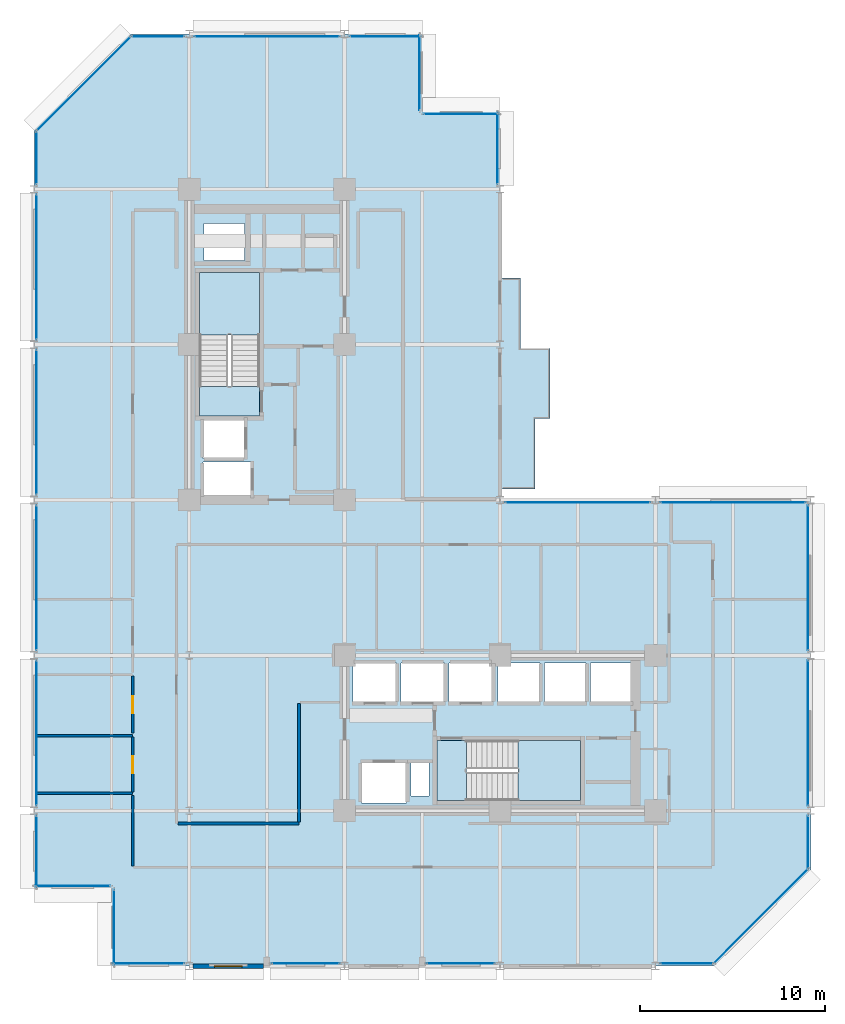
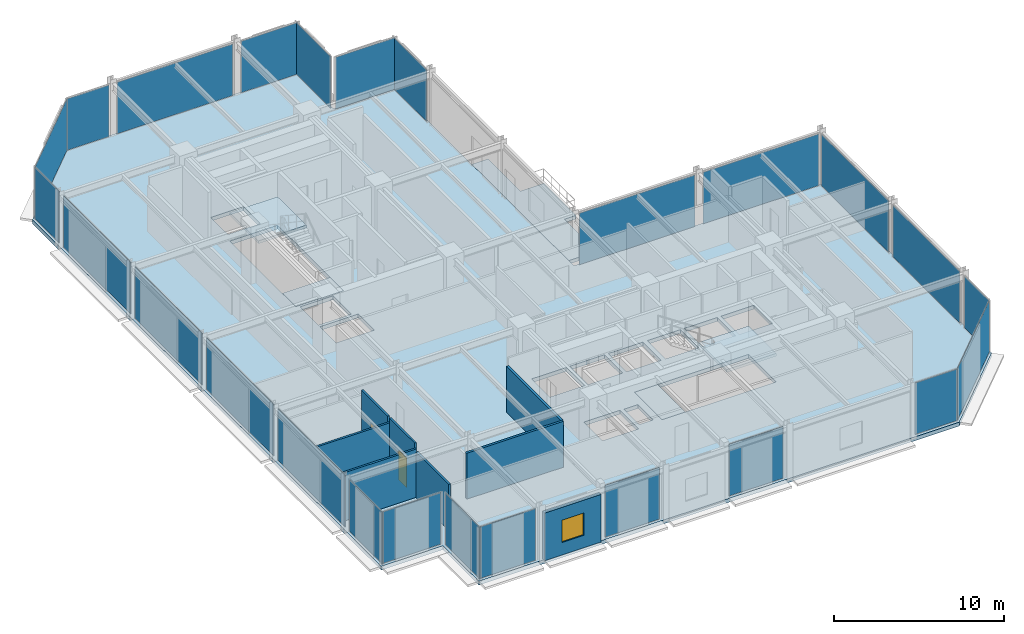
# One storey, part 23 of 30: 25 plates, 8 walls, 6 slabs, 2 doors, 1 window, 3 openings, 27 elements without a shape of their own.
"""IFC4 building model written with IfcOpenShell, lengths in metres."""

from ifc_helpers import new_model, si_unit, direction, frame, frame_2d, origin, origin_2d, place, context, subcontext, project, spatial, polyline, rectangle, outline, extrude, material, layer, layer_set, type_object, element, fill, aggregate, save


model = new_model("IFC4")

# Units and contexts
model_context = context("Model", 3, precision=1e-05, world=origin(), true_north=direction((0.0, 1.0)))
body_context = subcontext(model_context, "Body", "Model", "MODEL_VIEW")
ifc_project = project(units=[si_unit("LENGTHUNIT", "METRE"), si_unit("AREAUNIT", "SQUARE_METRE"), si_unit("VOLUMEUNIT", "CUBIC_METRE"), si_unit("PLANEANGLEUNIT", "RADIAN"), si_unit("MASSUNIT", "GRAM", prefix="KILO")], contexts=[model_context])

# Site, building, storey
site_placement = place(None, origin())
site = spatial("IfcSite", under=ifc_project, at=site_placement, CompositionType="ELEMENT")
building_placement = place(site_placement, origin())
building = spatial("IfcBuilding", under=site, at=building_placement, Name="Nerrivon Quay Data Exchange", CompositionType="ELEMENT")
storey_placement = place(building_placement, frame((0.0, 0.0, 141.800048828125)))
storey = spatial("IfcBuildingStorey", under=building, at=storey_placement, Name="L33", CompositionType="ELEMENT", Elevation=141.800048828125)

# Curtain wall, plate
ifc_material_1 = material(Name="Anodised aluminium 6063-T6", Category="aluminium")
ifc_layer_1 = layer(ifc_material_1, 0.2099609375)
ifc_layer_set_1 = layer_set([ifc_layer_1], Name="Anodised aluminium 6063-T6")
curtain_wall_type = type_object("IfcCurtainWallType", Name="CW-SYS-02", PredefinedType="NOTDEFINED", material=ifc_layer_set_1)
curtain_wall_1_placement = place(storey_placement, origin())
curtain_wall_1 = element("IfcCurtainWall", 1, at=curtain_wall_1_placement, inside=storey, type_object=curtain_wall_type, Name="L33 Unitised Curtain Wall 1", PredefinedType="NOTDEFINED")
ifc_material_2 = material(Name="Double-glazed low-E solar control glass", Category="glass")
ifc_layer_2 = layer(ifc_material_2, 0.028076171875)
ifc_layer_set_2 = layer_set([ifc_layer_2], Name="Double-glazed low-E solar control glass")
plate_type = type_object("IfcPlateType", Name="CWP-GLZ-28", PredefinedType="CURTAIN_PANEL", material=ifc_layer_set_2)
plate_1_placement = place(storey_placement, frame((39.301025390625, 2.698974609375, 0.06494140625), z_axis=(0.0, 0.0, 1.0), x_axis=(-0.707106781187, -0.707106781187, 0.0)))
plate_1 = element("IfcPlate", 2, at=plate_1_placement, type_object=plate_type, Name="CW02 panel 1.1", PredefinedType="CURTAIN_PANEL", context=body_context, shape_type="SweptSolid", body=[
    extrude(rectangle(XDim=7.203857421875, YDim=0.028076171875, at=origin_2d()), origin(), (0.0, 0.0, 1.0), 3.695068359375),
])
aggregate(curtain_wall_1, [plate_1])

curtain_wall_2_placement = place(storey_placement, origin())
curtain_wall_2 = element("IfcCurtainWall", 3, at=curtain_wall_2_placement, inside=storey, type_object=curtain_wall_type, Name="L33 Unitised Curtain Wall 2", PredefinedType="NOTDEFINED")
plate_2_placement = place(storey_placement, frame((35.300048828125, 0.139892578125, 0.06494140625), z_axis=(0.0, 0.0, 1.0), x_axis=(-1.0, 0.0, 0.0)))
plate_2 = element("IfcPlate", 4, at=plate_2_placement, type_object=plate_type, Name="CW02 panel 1.1", PredefinedType="CURTAIN_PANEL", context=body_context, shape_type="SweptSolid", body=[
    extrude(rectangle(XDim=2.85009765625, YDim=0.028076171875, at=origin_2d()), origin(), (0.0, 0.0, 1.0), 3.695068359375),
])
aggregate(curtain_wall_2, [plate_2])

curtain_wall_3_placement = place(storey_placement, origin())
curtain_wall_3 = element("IfcCurtainWall", 5, at=curtain_wall_3_placement, inside=storey, type_object=curtain_wall_type, Name="L33 Unitised Curtain Wall 4", PredefinedType="NOTDEFINED")
plate_3_placement = place(storey_placement, frame((23.08740234375, 0.139892578125, 0.06494140625), z_axis=(0.0, 0.0, 1.0), x_axis=(-1.0, 0.0, 0.0)))
plate_3 = element("IfcPlate", 6, at=plate_3_placement, type_object=plate_type, Name="CW02 panel 1.1", PredefinedType="CURTAIN_PANEL", context=body_context, shape_type="SweptSolid", body=[
    extrude(rectangle(XDim=3.675048828125, YDim=0.028076171875, at=origin_2d()), origin(), (0.0, 0.0, 1.0), 3.695068359375),
])
aggregate(curtain_wall_3, [plate_3])

curtain_wall_4_placement = place(storey_placement, origin())
curtain_wall_4 = element("IfcCurtainWall", 7, at=curtain_wall_4_placement, inside=storey, type_object=curtain_wall_type, Name="L33 Unitised Curtain Wall 6", PredefinedType="NOTDEFINED")
plate_4_placement = place(storey_placement, frame((14.6875, 0.139892578125, 0.06494140625), z_axis=(0.0, 0.0, 1.0), x_axis=(-1.0, 0.0, 0.0)))
plate_4 = element("IfcPlate", 8, at=plate_4_placement, type_object=plate_type, Name="CW02 panel 1.1", PredefinedType="CURTAIN_PANEL", context=body_context, shape_type="SweptSolid", body=[
    extrude(rectangle(XDim=3.675048828125, YDim=0.028076171875, at=origin_2d()), origin(), (0.0, 0.0, 1.0), 3.695068359375),
])
aggregate(curtain_wall_4, [plate_4])

curtain_wall_5_placement = place(storey_placement, origin())
curtain_wall_5 = element("IfcCurtainWall", 9, at=curtain_wall_5_placement, inside=storey, type_object=curtain_wall_type, Name="L33 Unitised Curtain Wall 8", PredefinedType="NOTDEFINED")
plate_5_placement = place(storey_placement, frame((6.199951171875, 0.139892578125, 0.06494140625), z_axis=(0.0, 0.0, 1.0), x_axis=(-1.0, 0.0, 0.0)))
plate_5 = element("IfcPlate", 10, at=plate_5_placement, type_object=plate_type, Name="CW02 panel 1.1", PredefinedType="CURTAIN_PANEL", context=body_context, shape_type="SweptSolid", body=[
    extrude(rectangle(XDim=3.85009765625, YDim=0.028076171875, at=origin_2d()), origin(), (0.0, 0.0, 1.0), 3.695068359375),
])
aggregate(curtain_wall_5, [plate_5])

curtain_wall_6_placement = place(storey_placement, origin())
curtain_wall_6 = element("IfcCurtainWall", 11, at=curtain_wall_6_placement, inside=storey, type_object=curtain_wall_type, Name="L33 Unitised Curtain Wall 9", PredefinedType="NOTDEFINED")
plate_6_placement = place(storey_placement, frame((4.340087890625, 2.10009765625, 0.06494140625), z_axis=(0.0, 0.0, 1.0), x_axis=(0.0, 1.0, 0.0)))
plate_6 = element("IfcPlate", 12, at=plate_6_placement, type_object=plate_type, Name="CW02 panel 1.1", PredefinedType="CURTAIN_PANEL", context=body_context, shape_type="SweptSolid", body=[
    extrude(rectangle(XDim=4.050048828125, YDim=0.028076171875, at=origin_2d()), origin(), (0.0, 0.0, 1.0), 3.695068359375),
])
aggregate(curtain_wall_6, [plate_6])

curtain_wall_7_placement = place(storey_placement, origin())
curtain_wall_7 = element("IfcCurtainWall", 13, at=curtain_wall_7_placement, inside=storey, type_object=curtain_wall_type, Name="L33 Unitised Curtain Wall 10", PredefinedType="NOTDEFINED")
plate_7_placement = place(storey_placement, frame((2.10009765625, 4.340087890625, 0.06494140625), z_axis=(0.0, 0.0, 1.0), x_axis=(-1.0, 0.0, 0.0)))
plate_7 = element("IfcPlate", 14, at=plate_7_placement, type_object=plate_type, Name="CW02 panel 1.1", PredefinedType="CURTAIN_PANEL", context=body_context, shape_type="SweptSolid", body=[
    extrude(rectangle(XDim=4.050048828125, YDim=0.028076171875, at=origin_2d()), origin(), (0.0, 0.0, 1.0), 3.695068359375),
])
aggregate(curtain_wall_7, [plate_7])

curtain_wall_8_placement = place(storey_placement, origin())
curtain_wall_8 = element("IfcCurtainWall", 15, at=curtain_wall_8_placement, inside=storey, type_object=curtain_wall_type, Name="L33 Unitised Curtain Wall 11", PredefinedType="NOTDEFINED")
plate_8_placement = place(storey_placement, frame((0.139892578125, 6.199951171875, 0.06494140625), z_axis=(0.0, 0.0, 1.0), x_axis=(0.0, 1.0, 0.0)))
plate_8 = element("IfcPlate", 16, at=plate_8_placement, type_object=plate_type, Name="CW02 panel 1.1", PredefinedType="CURTAIN_PANEL", context=body_context, shape_type="SweptSolid", body=[
    extrude(rectangle(XDim=3.85009765625, YDim=0.028076171875, at=origin_2d()), origin(), (0.0, 0.0, 1.0), 3.695068359375),
])
aggregate(curtain_wall_8, [plate_8])

curtain_wall_9_placement = place(storey_placement, origin())
curtain_wall_9 = element("IfcCurtainWall", 17, at=curtain_wall_9_placement, inside=storey, type_object=curtain_wall_type, Name="L33 Unitised Curtain Wall 12", PredefinedType="NOTDEFINED")
plate_9_placement = place(storey_placement, frame((0.139892578125, 12.60009765625, 0.06494140625), z_axis=(0.0, 0.0, 1.0), x_axis=(0.0, 1.0, 0.0)))
plate_9 = element("IfcPlate", 18, at=plate_9_placement, type_object=plate_type, Name="CW02 panel 1.1", PredefinedType="CURTAIN_PANEL", context=body_context, shape_type="SweptSolid", body=[
    extrude(rectangle(XDim=7.85009765625, YDim=0.028076171875, at=origin_2d()), origin(), (0.0, 0.0, 1.0), 3.695068359375),
])
aggregate(curtain_wall_9, [plate_9])

curtain_wall_10_placement = place(storey_placement, origin())
curtain_wall_10 = element("IfcCurtainWall", 19, at=curtain_wall_10_placement, inside=storey, type_object=curtain_wall_type, Name="L33 Unitised Curtain Wall 13", PredefinedType="NOTDEFINED")
plate_10_placement = place(storey_placement, frame((0.139892578125, 21.0, 0.06494140625), z_axis=(0.0, 0.0, 1.0), x_axis=(0.0, 1.0, 0.0)))
plate_10 = element("IfcPlate", 20, at=plate_10_placement, type_object=plate_type, Name="CW02 panel 1.1", PredefinedType="CURTAIN_PANEL", context=body_context, shape_type="SweptSolid", body=[
    extrude(rectangle(XDim=7.85009765625, YDim=0.028076171875, at=origin_2d()), origin(), (0.0, 0.0, 1.0), 3.695068359375),
])
aggregate(curtain_wall_10, [plate_10])

curtain_wall_11_placement = place(storey_placement, origin())
curtain_wall_11 = element("IfcCurtainWall", 21, at=curtain_wall_11_placement, inside=storey, type_object=curtain_wall_type, Name="L33 Unitised Curtain Wall 14", PredefinedType="NOTDEFINED")
plate_11_placement = place(storey_placement, frame((0.139892578125, 29.39990234375, 0.06494140625), z_axis=(0.0, 0.0, 1.0), x_axis=(0.0, 1.0, 0.0)))
plate_11 = element("IfcPlate", 22, at=plate_11_placement, type_object=plate_type, Name="CW02 panel 1.1", PredefinedType="CURTAIN_PANEL", context=body_context, shape_type="SweptSolid", body=[
    extrude(rectangle(XDim=7.85009765625, YDim=0.028076171875, at=origin_2d()), origin(), (0.0, 0.0, 1.0), 3.695068359375),
])
aggregate(curtain_wall_11, [plate_11])

curtain_wall_12_placement = place(storey_placement, origin())
curtain_wall_12 = element("IfcCurtainWall", 23, at=curtain_wall_12_placement, inside=storey, type_object=curtain_wall_type, Name="L33 Unitised Curtain Wall 15", PredefinedType="NOTDEFINED")
plate_12_placement = place(storey_placement, frame((0.139892578125, 37.800048828125, 0.06494140625), z_axis=(0.0, 0.0, 1.0), x_axis=(0.0, 1.0, 0.0)))
plate_12 = element("IfcPlate", 24, at=plate_12_placement, type_object=plate_type, Name="CW02 panel 1.1", PredefinedType="CURTAIN_PANEL", context=body_context, shape_type="SweptSolid", body=[
    extrude(rectangle(XDim=7.85009765625, YDim=0.028076171875, at=origin_2d()), origin(), (0.0, 0.0, 1.0), 3.695068359375),
])
aggregate(curtain_wall_12, [plate_12])

curtain_wall_13_placement = place(storey_placement, origin())
curtain_wall_13 = element("IfcCurtainWall", 25, at=curtain_wall_13_placement, inside=storey, type_object=curtain_wall_type, Name="L33 Unitised Curtain Wall 16", PredefinedType="NOTDEFINED")
plate_13_placement = place(storey_placement, frame((0.139892578125, 43.699951171875, 0.06494140625), z_axis=(0.0, 0.0, 1.0), x_axis=(0.0, 1.0, 0.0)))
plate_13 = element("IfcPlate", 26, at=plate_13_placement, type_object=plate_type, Name="CW02 panel 1.1", PredefinedType="CURTAIN_PANEL", context=body_context, shape_type="SweptSolid", body=[
    extrude(rectangle(XDim=2.85009765625, YDim=0.028076171875, at=origin_2d()), origin(), (0.0, 0.0, 1.0), 3.695068359375),
])
aggregate(curtain_wall_13, [plate_13])

curtain_wall_14_placement = place(storey_placement, origin())
curtain_wall_14 = element("IfcCurtainWall", 27, at=curtain_wall_14_placement, inside=storey, type_object=curtain_wall_type, Name="L33 Unitised Curtain Wall 17", PredefinedType="NOTDEFINED")
plate_14_placement = place(storey_placement, frame((2.698974609375, 47.700927734375, 0.06494140625), z_axis=(0.0, 0.0, 1.0), x_axis=(0.707106781187, 0.707106781187, 0.0)))
plate_14 = element("IfcPlate", 28, at=plate_14_placement, type_object=plate_type, Name="CW02 panel 1.1", PredefinedType="CURTAIN_PANEL", context=body_context, shape_type="SweptSolid", body=[
    extrude(rectangle(XDim=7.203857421875, YDim=0.028076171875, at=origin_2d()), origin(), (0.0, 0.0, 1.0), 3.695068359375),
])
aggregate(curtain_wall_14, [plate_14])

curtain_wall_15_placement = place(storey_placement, origin())
curtain_wall_15 = element("IfcCurtainWall", 29, at=curtain_wall_15_placement, inside=storey, type_object=curtain_wall_type, Name="L33 Unitised Curtain Wall 18", PredefinedType="NOTDEFINED")
plate_15_placement = place(storey_placement, frame((6.699951171875, 50.260009765625, 0.06494140625), z_axis=(0.0, 0.0, 1.0), x_axis=(1.0, 0.0, 0.0)))
plate_15 = element("IfcPlate", 30, at=plate_15_placement, type_object=plate_type, Name="CW02 panel 1.1", PredefinedType="CURTAIN_PANEL", context=body_context, shape_type="SweptSolid", body=[
    extrude(rectangle(XDim=2.85009765625, YDim=0.028076171875, at=origin_2d()), origin(), (0.0, 0.0, 1.0), 3.695068359375),
])
aggregate(curtain_wall_15, [plate_15])

curtain_wall_16_placement = place(storey_placement, origin())
curtain_wall_16 = element("IfcCurtainWall", 31, at=curtain_wall_16_placement, inside=storey, type_object=curtain_wall_type, Name="L33 Unitised Curtain Wall 19", PredefinedType="NOTDEFINED")
plate_16_placement = place(storey_placement, frame((12.60009765625, 50.260009765625, 0.06494140625), z_axis=(0.0, 0.0, 1.0), x_axis=(1.0, 0.0, 0.0)))
plate_16 = element("IfcPlate", 32, at=plate_16_placement, type_object=plate_type, Name="CW02 panel 1.1", PredefinedType="CURTAIN_PANEL", context=body_context, shape_type="SweptSolid", body=[
    extrude(rectangle(XDim=7.85009765625, YDim=0.028076171875, at=origin_2d()), origin(), (0.0, 0.0, 1.0), 3.695068359375),
])
aggregate(curtain_wall_16, [plate_16])

curtain_wall_17_placement = place(storey_placement, origin())
curtain_wall_17 = element("IfcCurtainWall", 33, at=curtain_wall_17_placement, inside=storey, type_object=curtain_wall_type, Name="L33 Unitised Curtain Wall 20", PredefinedType="NOTDEFINED")
plate_17_placement = place(storey_placement, frame((19.0, 50.260009765625, 0.06494140625), z_axis=(0.0, 0.0, 1.0), x_axis=(1.0, 0.0, 0.0)))
plate_17 = element("IfcPlate", 34, at=plate_17_placement, type_object=plate_type, Name="CW02 panel 1.1", PredefinedType="CURTAIN_PANEL", context=body_context, shape_type="SweptSolid", body=[
    extrude(rectangle(XDim=3.85009765625, YDim=0.028076171875, at=origin_2d()), origin(), (0.0, 0.0, 1.0), 3.695068359375),
])
aggregate(curtain_wall_17, [plate_17])

curtain_wall_18_placement = place(storey_placement, origin())
curtain_wall_18 = element("IfcCurtainWall", 35, at=curtain_wall_18_placement, inside=storey, type_object=curtain_wall_type, Name="L33 Unitised Curtain Wall 21", PredefinedType="NOTDEFINED")
plate_18_placement = place(storey_placement, frame((20.860107421875, 48.300048828125, 0.06494140625), z_axis=(0.0, 0.0, 1.0), x_axis=(0.0, -1.0, 0.0)))
plate_18 = element("IfcPlate", 36, at=plate_18_placement, type_object=plate_type, Name="CW02 panel 1.1", PredefinedType="CURTAIN_PANEL", context=body_context, shape_type="SweptSolid", body=[
    extrude(rectangle(XDim=4.050048828125, YDim=0.028076171875, at=origin_2d()), origin(), (0.0, 0.0, 1.0), 3.695068359375),
])
aggregate(curtain_wall_18, [plate_18])

curtain_wall_19_placement = place(storey_placement, origin())
curtain_wall_19 = element("IfcCurtainWall", 37, at=curtain_wall_19_placement, inside=storey, type_object=curtain_wall_type, Name="L33 Unitised Curtain Wall 22", PredefinedType="NOTDEFINED")
plate_19_placement = place(storey_placement, frame((23.10009765625, 46.06005859375, 0.06494140625), z_axis=(0.0, 0.0, 1.0), x_axis=(1.0, 0.0, 0.0)))
plate_19 = element("IfcPlate", 38, at=plate_19_placement, type_object=plate_type, Name="CW02 panel 1.1", PredefinedType="CURTAIN_PANEL", context=body_context, shape_type="SweptSolid", body=[
    extrude(rectangle(XDim=4.050048828125, YDim=0.028076171875, at=origin_2d()), origin(), (0.0, 0.0, 1.0), 3.695068359375),
])
aggregate(curtain_wall_19, [plate_19])

curtain_wall_20_placement = place(storey_placement, origin())
curtain_wall_20 = element("IfcCurtainWall", 39, at=curtain_wall_20_placement, inside=storey, type_object=curtain_wall_type, Name="L33 Unitised Curtain Wall 23", PredefinedType="NOTDEFINED")
plate_20_placement = place(storey_placement, frame((25.06005859375, 44.199951171875, 0.06494140625), z_axis=(0.0, 0.0, 1.0), x_axis=(0.0, -1.0, 0.0)))
plate_20 = element("IfcPlate", 40, at=plate_20_placement, type_object=plate_type, Name="CW02 panel 1.1", PredefinedType="CURTAIN_PANEL", context=body_context, shape_type="SweptSolid", body=[
    extrude(rectangle(XDim=3.85009765625, YDim=0.028076171875, at=origin_2d()), origin(), (0.0, 0.0, 1.0), 3.695068359375),
])
aggregate(curtain_wall_20, [plate_20])

curtain_wall_21_placement = place(storey_placement, origin())
curtain_wall_21 = element("IfcCurtainWall", 41, at=curtain_wall_21_placement, inside=storey, type_object=curtain_wall_type, Name="L33 Unitised Curtain Wall 26", PredefinedType="NOTDEFINED")
plate_21_placement = place(storey_placement, frame((29.39990234375, 25.06005859375, 0.06494140625), z_axis=(0.0, 0.0, 1.0), x_axis=(1.0, 0.0, 0.0)))
plate_21 = element("IfcPlate", 42, at=plate_21_placement, type_object=plate_type, Name="CW02 panel 1.1", PredefinedType="CURTAIN_PANEL", context=body_context, shape_type="SweptSolid", body=[
    extrude(rectangle(XDim=7.85009765625, YDim=0.028076171875, at=origin_2d()), origin(), (0.0, 0.0, 1.0), 3.695068359375),
])
aggregate(curtain_wall_21, [plate_21])

curtain_wall_22_placement = place(storey_placement, origin())
curtain_wall_22 = element("IfcCurtainWall", 43, at=curtain_wall_22_placement, inside=storey, type_object=curtain_wall_type, Name="L33 Unitised Curtain Wall 27", PredefinedType="NOTDEFINED")
plate_22_placement = place(storey_placement, frame((37.800048828125, 25.06005859375, 0.06494140625), z_axis=(0.0, 0.0, 1.0), x_axis=(1.0, 0.0, 0.0)))
plate_22 = element("IfcPlate", 44, at=plate_22_placement, type_object=plate_type, Name="CW02 panel 1.1", PredefinedType="CURTAIN_PANEL", context=body_context, shape_type="SweptSolid", body=[
    extrude(rectangle(XDim=7.85009765625, YDim=0.028076171875, at=origin_2d()), origin(), (0.0, 0.0, 1.0), 3.695068359375),
])
aggregate(curtain_wall_22, [plate_22])

curtain_wall_23_placement = place(storey_placement, origin())
curtain_wall_23 = element("IfcCurtainWall", 45, at=curtain_wall_23_placement, inside=storey, type_object=curtain_wall_type, Name="L33 Unitised Curtain Wall 28", PredefinedType="NOTDEFINED")
plate_23_placement = place(storey_placement, frame((41.860107421875, 21.0, 0.06494140625), z_axis=(0.0, 0.0, 1.0), x_axis=(0.0, -1.0, 0.0)))
plate_23 = element("IfcPlate", 46, at=plate_23_placement, type_object=plate_type, Name="CW02 panel 1.1", PredefinedType="CURTAIN_PANEL", context=body_context, shape_type="SweptSolid", body=[
    extrude(rectangle(XDim=7.85009765625, YDim=0.028076171875, at=origin_2d()), origin(), (0.0, 0.0, 1.0), 3.695068359375),
])
aggregate(curtain_wall_23, [plate_23])

curtain_wall_24_placement = place(storey_placement, origin())
curtain_wall_24 = element("IfcCurtainWall", 47, at=curtain_wall_24_placement, inside=storey, type_object=curtain_wall_type, Name="L33 Unitised Curtain Wall 29", PredefinedType="NOTDEFINED")
plate_24_placement = place(storey_placement, frame((41.860107421875, 12.60009765625, 0.06494140625), z_axis=(0.0, 0.0, 1.0), x_axis=(0.0, -1.0, 0.0)))
plate_24 = element("IfcPlate", 48, at=plate_24_placement, type_object=plate_type, Name="CW02 panel 1.1", PredefinedType="CURTAIN_PANEL", context=body_context, shape_type="SweptSolid", body=[
    extrude(rectangle(XDim=7.85009765625, YDim=0.028076171875, at=origin_2d()), origin(), (0.0, 0.0, 1.0), 3.695068359375),
])
aggregate(curtain_wall_24, [plate_24])

curtain_wall_25_placement = place(storey_placement, origin())
curtain_wall_25 = element("IfcCurtainWall", 49, at=curtain_wall_25_placement, inside=storey, type_object=curtain_wall_type, Name="L33 Unitised Curtain Wall 30", PredefinedType="NOTDEFINED")
plate_25_placement = place(storey_placement, frame((41.860107421875, 6.699951171875, 0.06494140625), z_axis=(0.0, 0.0, 1.0), x_axis=(0.0, -1.0, 0.0)))
plate_25 = element("IfcPlate", 50, at=plate_25_placement, type_object=plate_type, Name="CW02 panel 1.1", PredefinedType="CURTAIN_PANEL", context=body_context, shape_type="SweptSolid", body=[
    extrude(rectangle(XDim=2.85009765625, YDim=0.028076171875, at=origin_2d()), origin(), (0.0, 0.0, 1.0), 3.695068359375),
])
aggregate(curtain_wall_25, [plate_25])

# Slab
ifc_material_3 = material(Name="Precast white architectural concrete N50 (50 MPa)", Category="concrete")
ifc_layer_3 = layer(ifc_material_3, 0.25)
ifc_layer_set_3 = layer_set([ifc_layer_3], Name="Precast white architectural concrete N50 (50 MPa)")
slab_type_1 = type_object("IfcSlabType", Name="SLB-BAL-250", PredefinedType="FLOOR", material=ifc_layer_set_3)
slab_1_placement = place(storey_placement, frame((0.0, 0.0, -0.25)))
element("IfcSlab", 51, at=slab_1_placement, inside=storey, type_object=slab_type_1, Name="L33 Waterfront Subtropical Verandah", PredefinedType="FLOOR", context=body_context, shape_type="SweptSolid", body=[
    extrude(outline(polyline([(27.10009765625, 29.60009765625), (27.89990234375, 29.60009765625), (27.89990234375, 33.39990234375), (26.300048828125, 33.39990234375), (26.300048828125, 37.199951171875), (25.199951171875, 37.199951171875), (25.199951171875, 33.39990234375), (25.199951171875, 29.60009765625), (25.199951171875, 25.800048828125), (27.10009765625, 25.800048828125), (27.10009765625, 29.60009765625)])), origin(), (0.0, 0.0, 1.0), 0.25),
])

# Stair, slab
ifc_material_4 = material(Name="Concrete N50 (50 MPa)", Category="concrete")
stair_type = type_object("IfcStairType", Name="STAIR-DOG-41", PredefinedType="HALF_TURN_STAIR", material=ifc_material_4)
stair_1_placement = place(storey_placement, origin())
stair_1 = element("IfcStair", 52, at=stair_1_placement, inside=storey, type_object=stair_type, Name="L33 West Core Fire Stair ST01", PredefinedType="HALF_TURN_STAIR")
ifc_layer_4 = layer(ifc_material_4, 0.199951171875)
ifc_layer_set_4 = layer_set([ifc_layer_4], Name="Concrete N50 (50 MPa)")
slab_type_2 = type_object("IfcSlabType", Name="SLB-LAND-200", PredefinedType="LANDING", material=ifc_layer_set_4)
slab_2_placement = place(storey_placement, frame((0.0, 0.0, 1.849853515625)))
slab_2 = element("IfcSlab", 53, at=slab_2_placement, type_object=slab_type_2, Name="ST01 landing 1", PredefinedType="LANDING", context=body_context, shape_type="SweptSolid", body=[
    extrude(outline(polyline([(12.199951171875, 34.1298828125), (12.199951171875, 37.5), (8.949951171875, 37.5), (8.949951171875, 34.1298828125), (12.199951171875, 34.1298828125)])), origin(), (0.0, 0.0, 1.0), 0.2001953125),
])
aggregate(stair_1, [slab_2])

# Slab
slab_3_placement = place(storey_placement, frame((0.0, 0.0, -0.199951171875)))
element("IfcSlab", 54, at=slab_3_placement, inside=storey, type_object=slab_type_2, Name="L33 ST01 floor landing", PredefinedType="LANDING", context=body_context, shape_type="SweptSolid", body=[
    extrude(outline(polyline([(12.199951171875, 29.75), (12.199951171875, 31.330078125), (8.949951171875, 31.330078125), (8.949951171875, 29.75), (12.199951171875, 29.75)])), origin(), (0.0, 0.0, 1.0), 0.199951171875),
])

# Stair, slab
stair_2_placement = place(storey_placement, origin())
stair_2 = element("IfcStair", 55, at=stair_2_placement, inside=storey, type_object=stair_type, Name="L33 East Core Fire Stair ST02", PredefinedType="HALF_TURN_STAIR")
slab_4_placement = place(storey_placement, frame((0.0, 0.0, 1.849853515625)))
slab_4 = element("IfcSlab", 56, at=slab_4_placement, type_object=slab_type_2, Name="ST02 landing 1", PredefinedType="LANDING", context=body_context, shape_type="SweptSolid", body=[
    extrude(outline(polyline([(26.179931640625, 8.949951171875), (29.550048828125, 8.949951171875), (29.550048828125, 12.199951171875), (26.179931640625, 12.199951171875), (26.179931640625, 8.949951171875)])), origin(), (0.0, 0.0, 1.0), 0.2001953125),
])
aggregate(stair_2, [slab_4])

# Slabs
slab_5_placement = place(storey_placement, frame((0.0, 0.0, -0.199951171875)))
element("IfcSlab", 57, at=slab_5_placement, inside=storey, type_object=slab_type_2, Name="L33 ST02 floor landing", PredefinedType="LANDING", context=body_context, shape_type="SweptSolid", body=[
    extrude(outline(polyline([(21.800048828125, 8.949951171875), (23.3798828125, 8.949951171875), (23.3798828125, 12.199951171875), (21.800048828125, 12.199951171875), (21.800048828125, 8.949951171875)])), origin(), (0.0, 0.0, 1.0), 0.199951171875),
])
ifc_layer_5 = layer(ifc_material_4, 0.27490234375)
ifc_layer_set_5 = layer_set([ifc_layer_5], Name="Concrete N50 (50 MPa)")
slab_type_3 = type_object("IfcSlabType", Name="SLB-TOW-275", PredefinedType="FLOOR", material=ifc_layer_set_5)
slab_6_placement = place(storey_placement, frame((0.0, 0.0, -0.275146484375)))
element("IfcSlab", 58, at=slab_6_placement, inside=storey, type_object=slab_type_3, Name="L33 Primary Structural Slab", PredefinedType="FLOOR", context=body_context, shape_type="SweptSolid", body=[
    extrude(outline(polyline([(42.0, 25.199951171875), (25.199951171875, 25.199951171875), (25.199951171875, 46.199951171875), (21.0, 46.199951171875), (21.0, 50.39990234375), (5.199951171875, 50.39990234375), (0.0, 45.199951171875), (0.0, 4.199951171875), (4.199951171875, 4.199951171875), (4.199951171875, 0.0), (36.800048828125, 0.0), (42.0, 5.199951171875), (42.0, 25.199951171875)]), holes=[polyline([(8.949951171875, 29.75), (8.949951171875, 37.5), (12.199951171875, 37.5), (12.199951171875, 29.75), (8.949951171875, 29.75)]), polyline([(21.800048828125, 12.199951171875), (29.550048828125, 12.199951171875), (29.550048828125, 8.949951171875), (21.800048828125, 8.949951171875), (21.800048828125, 12.199951171875)]), polyline([(30.10009765625, 16.39990234375), (32.35009765625, 16.39990234375), (32.35009765625, 14.25), (30.10009765625, 14.25), (30.10009765625, 16.39990234375)]), polyline([(27.60009765625, 16.39990234375), (29.85009765625, 16.39990234375), (29.85009765625, 14.25), (27.60009765625, 14.25), (27.60009765625, 16.39990234375)]), polyline([(25.10009765625, 14.25), (25.10009765625, 16.39990234375), (27.35009765625, 16.39990234375), (27.35009765625, 14.25), (25.10009765625, 14.25)]), polyline([(22.449951171875, 16.39990234375), (24.800048828125, 16.39990234375), (24.800048828125, 14.25), (22.449951171875, 14.25), (22.449951171875, 16.39990234375)]), polyline([(19.85009765625, 16.39990234375), (22.199951171875, 16.39990234375), (22.199951171875, 14.25), (19.85009765625, 14.25), (19.85009765625, 16.39990234375)]), polyline([(20.39990234375, 9.199951171875), (20.39990234375, 11.0), (21.35009765625, 11.0), (21.35009765625, 9.199951171875), (20.39990234375, 9.199951171875)]), polyline([(17.699951171875, 8.830078125), (17.699951171875, 11.030029296875), (20.14990234375, 11.030029296875), (20.14990234375, 8.830078125), (17.699951171875, 8.830078125)]), polyline([(17.25, 14.25), (17.25, 16.39990234375), (19.60009765625, 16.39990234375), (19.60009765625, 14.25), (17.25, 14.25)]), polyline([(9.14990234375, 27.25), (11.75, 27.25), (11.75, 25.35009765625), (9.14990234375, 25.35009765625), (9.14990234375, 27.25)]), polyline([(9.14990234375, 29.60009765625), (11.39990234375, 29.60009765625), (11.39990234375, 27.449951171875), (9.14990234375, 27.449951171875), (9.14990234375, 29.60009765625)]), polyline([(9.199951171875, 38.14990234375), (9.199951171875, 40.14990234375), (11.39990234375, 40.14990234375), (11.39990234375, 38.14990234375), (9.199951171875, 38.14990234375)])]), origin(), (0.0, 0.0, 1.0), 0.275146484375),
])

# Wall, opening, window
ifc_material_5 = material(Name="Architectural terracotta precast concrete N50 (50 MPa)", Category="masonry")
ifc_layer_6 = layer(ifc_material_5, 0.239990234375)
ifc_layer_set_6 = layer_set([ifc_layer_6], Name="Architectural terracotta precast concrete N50 (50 MPa)")
wall_type_1 = type_object("IfcWallType", Name="EW-PREC-240", PredefinedType="STANDARD", material=ifc_layer_set_6)
wall_1_placement = place(storey_placement, frame((12.425048828125, 0.0, 0.0), z_axis=(0.0, 0.0, 1.0), x_axis=(-1.0, 0.0, 0.0)))
wall_1 = element("IfcWall", 59, at=wall_1_placement, inside=storey, type_object=wall_type_1, Name="L33 Podium Precast Spandrel Wall 7", PredefinedType="STANDARD", context=body_context, shape_type="SweptSolid", body=[
    extrude(rectangle(XDim=3.824951171875, YDim=0.239990234375, at=frame_2d((1.91259765625, 0.0))), origin(), (0.0, 0.0, 1.0), 3.421875),
])
opening_1_placement = place(wall_1_placement, frame((1.16259765625, 0.0, 0.89990234375)))
opening_1 = element("IfcOpeningElement", 60, at=opening_1_placement, cuts=wall_1, Name="Opening WN4", PredefinedType="OPENING", context=body_context, shape_type="SweptSolid", body=[
    extrude(rectangle(XDim=1.5, YDim=1.60009765625, at=frame_2d((0.75, 0.800048828125))), frame((0.0, 0.1298828125, 0.0), z_axis=(0.0, -1.0, 0.0), x_axis=(1.0, 0.0, 0.0)), (0.0, 0.0, 1.0), 0.260009765625),
])
window_type = type_object("IfcWindowType", Name="WIN-W4-1500x1600", PartitioningType="SINGLE_PANEL", PredefinedType="WINDOW", material=ifc_material_2)
window_placement = place(opening_1_placement, origin())
window = element("IfcWindow", 61, at=window_placement, inside=storey, type_object=window_type, Name="L33 Solar Facade Window 7", OverallHeight=1.60009765625, OverallWidth=1.5, PartitioningType="SINGLE_PANEL", PredefinedType="WINDOW", context=body_context, shape_type="SweptSolid", body=[
    extrude(rectangle(XDim=1.5, YDim=1.60009765625, at=frame_2d((0.75, 0.800048828125))), frame((0.0, 0.030029296875, 0.0), z_axis=(0.0, -1.0, 0.0), x_axis=(1.0, 0.0, 0.0)), (0.0, 0.0, 1.0), 0.06005859375),
])
fill(opening_1, window)

# Wall, opening, door
ifc_material_6 = material(Name="Gypsum plasterboard on cold-formed framing", Category="gypsum")
ifc_layer_7 = layer(ifc_material_6, 0.1201171875)
ifc_layer_set_7 = layer_set([ifc_layer_7], Name="Gypsum plasterboard on cold-formed framing")
wall_type_2 = type_object("IfcWallType", Name="WALL-PT-120", PredefinedType="PARTITIONING", material=ifc_layer_set_7)
wall_2_placement = place(storey_placement, frame((5.340087890625, 9.42138671875, 0.0), z_axis=(0.0, 0.0, 1.0), x_axis=(0.0, 1.0, 0.0)))
wall_2 = element("IfcWall", 62, at=wall_2_placement, inside=storey, type_object=wall_type_2, Name="L33 Partition Accessible Toilet", PredefinedType="PARTITIONING", context=body_context, shape_type="SweptSolid", body=[
    extrude(rectangle(XDim=2.95703125, YDim=0.1201171875, at=frame_2d((1.478515625, 0.0))), origin(), (0.0, 0.0, 1.0), 3.824951171875),
])
opening_2_placement = place(wall_2_placement, frame((1.0185546875, 0.0, 0.0)))
opening_2 = element("IfcOpeningElement", 63, at=opening_2_placement, cuts=wall_2, Name="Opening D-WC", PredefinedType="OPENING", context=body_context, shape_type="SweptSolid", body=[
    extrude(rectangle(XDim=0.919921875, YDim=2.10009765625, at=frame_2d((0.4599609375, 1.050048828125))), frame((0.0, 0.070068359375, 0.0), z_axis=(0.0, -1.0, 0.0), x_axis=(1.0, 0.0, 0.0)), (0.0, 0.0, 1.0), 0.14013671875),
])
ifc_material_7 = material(Name="Engineered hardwood timber", Category="wood")
door_type = type_object("IfcDoorType", Name="DR-WC-920", OperationType="NOTDEFINED", PredefinedType="DOOR", material=ifc_material_7)
door_1_placement = place(opening_2_placement, origin())
door_1 = element("IfcDoor", 64, at=door_1_placement, inside=storey, type_object=door_type, Name="L33 Door Accessible Toilet", OperationType="SINGLE_SWING_RIGHT", OverallHeight=2.10009765625, OverallWidth=0.919921875, PredefinedType="DOOR", context=body_context, shape_type="SweptSolid", body=[
    extrude(rectangle(XDim=0.919921875, YDim=2.10009765625, at=frame_2d((0.4599609375, 1.050048828125))), frame((0.0, 0.02490234375, 0.0), z_axis=(0.0, -1.0, 0.0), x_axis=(1.0, 0.0, 0.0)), (0.0, 0.0, 1.0), 0.050048828125),
])
fill(opening_2, door_1)

wall_3_placement = place(storey_placement, frame((5.340087890625, 12.60009765625, 0.0), z_axis=(0.0, 0.0, 1.0), x_axis=(0.0, 1.0, 0.0)))
wall_3 = element("IfcWall", 65, at=wall_3_placement, inside=storey, type_object=wall_type_2, Name="L33 Partition Public Washrooms", PredefinedType="PARTITIONING", context=body_context, shape_type="SweptSolid", body=[
    extrude(rectangle(XDim=3.078369140625, YDim=0.1201171875, at=frame_2d((1.5390625, 0.0))), origin(), (0.0, 0.0, 1.0), 3.824951171875),
])
opening_3_placement = place(wall_3_placement, frame((1.079345703125, 0.0, 0.0)))
opening_3 = element("IfcOpeningElement", 66, at=opening_3_placement, cuts=wall_3, Name="Opening D-WC", PredefinedType="OPENING", context=body_context, shape_type="SweptSolid", body=[
    extrude(rectangle(XDim=0.919921875, YDim=2.10009765625, at=frame_2d((0.4599609375, 1.050048828125))), frame((0.0, 0.070068359375, 0.0), z_axis=(0.0, -1.0, 0.0), x_axis=(1.0, 0.0, 0.0)), (0.0, 0.0, 1.0), 0.14013671875),
])
door_2_placement = place(opening_3_placement, origin())
door_2 = element("IfcDoor", 67, at=door_2_placement, inside=storey, type_object=door_type, Name="L33 Door Public Washrooms", OperationType="SINGLE_SWING_LEFT", OverallHeight=2.10009765625, OverallWidth=0.919921875, PredefinedType="DOOR", context=body_context, shape_type="SweptSolid", body=[
    extrude(rectangle(XDim=0.919921875, YDim=2.10009765625, at=frame_2d((0.4599609375, 1.050048828125))), frame((0.0, 0.02490234375, 0.0), z_axis=(0.0, -1.0, 0.0), x_axis=(1.0, 0.0, 0.0)), (0.0, 0.0, 1.0), 0.050048828125),
])
fill(opening_3, door_2)

# Walls
ifc_layer_8 = layer(ifc_material_6, 0.135009765625)
ifc_layer_set_8 = layer_set([ifc_layer_8], Name="Gypsum plasterboard on cold-formed framing")
wall_type_3 = type_object("IfcWallType", Name="WALL-PT-135", PredefinedType="PARTITIONING", material=ifc_layer_set_8)
for number, where, z_axis, x_axis, name in (
    (68, (5.340087890625, 12.449951171875, 0.0), (0.0, 0.0, 1.0), (-1.0, 0.0, 0.0), "L33 Partition Accessible Toilet"),
    (69, (0.1689453125, 9.35009765625, 0.0), (0.0, 0.0, 1.0), (1.0, 0.0, 0.0), "L33 Partition Accessible Toilet"),
):
    element("IfcWall", number, at=place(storey_placement, frame(where, z_axis=z_axis, x_axis=x_axis)), inside=storey, type_object=wall_type_3, Name=name, PredefinedType="PARTITIONING", context=body_context, shape_type="SweptSolid", body=[
        extrude(rectangle(XDim=5.171142578125, YDim=0.135009765625, at=frame_2d((2.58544921875, 0.0))), origin(), (0.0, 0.0, 1.0), 3.468994140625),
    ])
wall_4_placement = place(storey_placement, frame((5.340087890625, 5.39990234375, 0.0), z_axis=(0.0, 0.0, 1.0), x_axis=(0.0, 1.0, 0.0)))
element("IfcWall", 70, at=wall_4_placement, inside=storey, type_object=wall_type_3, Name="L33 Partition Technical Library", PredefinedType="PARTITIONING", context=body_context, shape_type="SweptSolid", body=[
    extrude(rectangle(XDim=3.830078125, YDim=0.135009765625, at=frame_2d((1.9150390625, 0.0))), origin(), (0.0, 0.0, 1.0), 3.2919921875),
])
ifc_layer_9 = layer(ifc_material_6, 0.14990234375)
ifc_layer_set_9 = layer_set([ifc_layer_9], Name="Gypsum plasterboard on cold-formed framing")
wall_type_4 = type_object("IfcWallType", Name="WALL-PT-150", PredefinedType="PARTITIONING", material=ifc_layer_set_9)
wall_5_placement = place(storey_placement, frame((7.7890625, 7.7099609375, 0.0), z_axis=(0.0, 0.0, 1.0), x_axis=(1.0, 0.0, 0.0)))
element("IfcWall", 71, at=wall_5_placement, inside=storey, type_object=wall_type_4, Name="L33 Partition Peering Huddle Meeting Room", PredefinedType="PARTITIONING", context=body_context, shape_type="SweptSolid", body=[
    extrude(rectangle(XDim=6.551025390625, YDim=0.14990234375, at=frame_2d((3.275390625, 0.0))), origin(), (0.0, 0.0, 1.0), 3.296875),
])
wall_6_placement = place(storey_placement, frame((14.340087890625, 7.7890625, 0.0), z_axis=(0.0, 0.0, 1.0), x_axis=(0.0, 1.0, 0.0)))
element("IfcWall", 72, at=wall_6_placement, inside=storey, type_object=wall_type_4, Name="L33 Partition Peering Huddle Meeting Room", PredefinedType="PARTITIONING", context=body_context, shape_type="SweptSolid", body=[
    extrude(rectangle(XDim=6.410888671875, YDim=0.14990234375, at=frame_2d((3.20556640625, 0.0))), origin(), (0.0, 0.0, 1.0), 3.2919921875),
])

save(model, "model.ifc")
